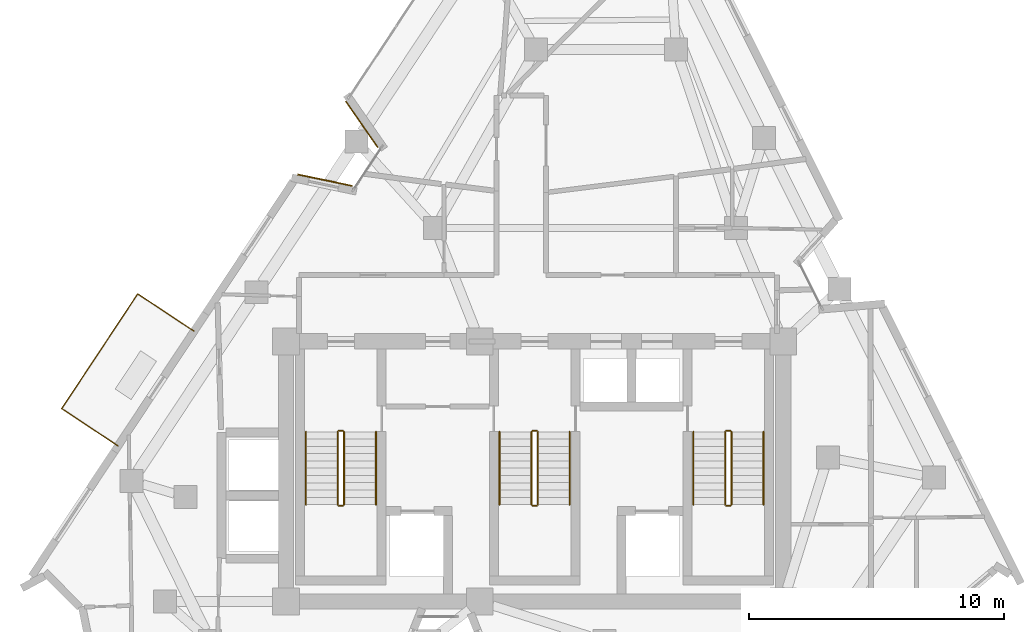
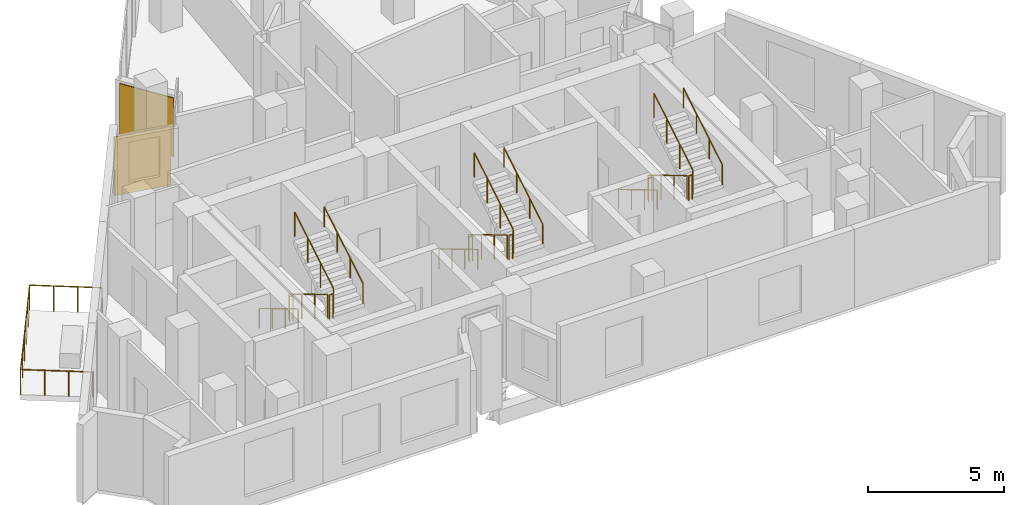
# One storey, part 9 of 10: 19 railings, 2 coverings.
"""IFC4 building model written with IfcOpenShell, lengths in metres."""

from ifc_helpers import new_model, si_unit, direction, frame, origin, origin_2d, place, context, subcontext, project, spatial, rectangle, circle, extrude, material, layer, layer_set, type_object, element, save


model = new_model("IFC4")

# Units and contexts
model_context = context("Model", 3, precision=1e-05, world=origin(), true_north=direction((0.0, 1.0)))
body_context = subcontext(model_context, "Body", "Model", "MODEL_VIEW")
ifc_project = project(units=[si_unit("LENGTHUNIT", "METRE"), si_unit("AREAUNIT", "SQUARE_METRE"), si_unit("VOLUMEUNIT", "CUBIC_METRE"), si_unit("PLANEANGLEUNIT", "RADIAN"), si_unit("MASSUNIT", "GRAM", prefix="KILO")], contexts=[model_context])

# Site, building, storey
site_placement = place(None, origin())
site = spatial("IfcSite", under=ifc_project, at=site_placement, CompositionType="ELEMENT")
building_placement = place(site_placement, origin())
building = spatial("IfcBuilding", under=site, at=building_placement, Name="Almagre Mirador Tower", CompositionType="ELEMENT")
storey_placement = place(building_placement, frame((0.0, 0.0, 255.75)))
storey = spatial("IfcBuildingStorey", under=building, at=storey_placement, Name="L66", CompositionType="ELEMENT", Elevation=255.75)

# Coverings
ifc_material_1 = material(Name="Almagre terracotta architectural cladding", Category="masonry")
ifc_layer = layer(ifc_material_1, 0.044921875)
ifc_layer_set = layer_set([ifc_layer], Name="Almagre terracotta architectural cladding")
covering_type = type_object("IfcCoveringType", Name="COV-CLAD-ALMAGRE", PredefinedType="CLADDING", material=ifc_layer_set)
covering_1_placement = place(storey_placement, frame((29.075439453125, 21.07373046875, 0.10009765625), z_axis=(0.0, 0.0, 1.0), x_axis=(0.978774490615, -0.204940226702, 0.0)))
element("IfcCovering", 1, at=covering_1_placement, inside=storey, type_object=covering_type, Name="L66 almagre terracotta pier cladding", PredefinedType="CLADDING", context=body_context, shape_type="SweptSolid", body=[
    extrude(rectangle(XDim=2.193115234375, YDim=0.044921875, at=origin_2d()), origin(), (0.0, 0.0, 1.0), 2.625),
])
covering_2_placement = place(storey_placement, frame((30.5244140625, 23.2626953125, 0.10009765625), z_axis=(0.0, 0.0, 1.0), x_axis=(-0.570555907837, 0.821258763139, 0.0)))
element("IfcCovering", 2, at=covering_2_placement, inside=storey, type_object=covering_type, Name="L66 almagre terracotta pier cladding", PredefinedType="CLADDING", context=body_context, shape_type="SweptSolid", body=[
    extrude(rectangle(XDim=2.194091796875, YDim=0.044921875, at=origin_2d()), origin(), (0.0, 0.0, 1.0), 2.625),
])

# Railings
ifc_material_2 = material(Name="Black anodized aluminium", Category="aluminium")
railing_type_1 = type_object("IfcRailingType", Name="RLG-BAL-1150", PredefinedType="BALUSTRADE", material=ifc_material_2)
railing_1_placement = place(storey_placement, frame((23.94091796875, 15.15087890625, 0.0)))
element("IfcRailing", 3, at=railing_1_placement, inside=storey, type_object=railing_type_1, Name="L66 west balcony balustrade 1", PredefinedType="BALUSTRADE", context=body_context, shape_type="SweptSolid", body=[
    extrude(circle(Radius=0.02392578125, at=origin_2d()), frame((0.0, 0.0, 1.1259765625), z_axis=(-0.83381747793, 0.552040228152, 0.0), x_axis=(-0.552040228152, -0.83381747793, 0.0)), (0.0, 0.0, 1.0), 2.650390625),
    extrude(circle(Radius=0.02392578125, at=origin_2d()), frame((-2.2099609375, 1.463134765625, 1.1259765625), z_axis=(-0.552088847643, -0.833785286694, 0.0), x_axis=(0.833785286694, -0.552088847643, 0.0)), (0.0, 0.0, 1.0), 5.3994140625),
    extrude(circle(Radius=0.02392578125, at=origin_2d()), frame((-5.19091796875, -3.038818359375, 1.1259765625), z_axis=(0.833705139575, -0.552209869747, 0.0), x_axis=(0.552209869747, 0.833705139575, 0.0)), (0.0, 0.0, 1.0), 2.649658203125),
    extrude(circle(Radius=0.02099609375, at=origin_2d()), origin(), (0.0, 0.0, 1.0), 1.101806640625),
    extrude(circle(Radius=0.02099609375, at=origin_2d()), frame((-0.736572265625, 0.48779296875, 0.0)), (0.0, 0.0, 1.0), 1.101806640625),
    extrude(circle(Radius=0.02099609375, at=origin_2d()), frame((-1.473388671875, 0.975341796875, 0.0)), (0.0, 0.0, 1.0), 1.101806640625),
    extrude(circle(Radius=0.02099609375, at=origin_2d()), frame((-2.2099609375, 1.463134765625, 0.0)), (0.0, 0.0, 1.0), 1.101806640625),
    extrude(circle(Radius=0.02099609375, at=origin_2d()), frame((-2.80615234375, 0.562744140625, 0.0)), (0.0, 0.0, 1.0), 1.101806640625),
    extrude(circle(Radius=0.02099609375, at=origin_2d()), frame((-3.40234375, -0.337646484375, 0.0)), (0.0, 0.0, 1.0), 1.101806640625),
    extrude(circle(Radius=0.02099609375, at=origin_2d()), frame((-3.99853515625, -1.238037109375, 0.0)), (0.0, 0.0, 1.0), 1.101806640625),
    extrude(circle(Radius=0.02099609375, at=origin_2d()), frame((-4.5947265625, -2.138427734375, 0.0)), (0.0, 0.0, 1.0), 1.101806640625),
    extrude(circle(Radius=0.02099609375, at=origin_2d()), frame((-5.19091796875, -3.038818359375, 0.0)), (0.0, 0.0, 1.0), 1.101806640625),
    extrude(circle(Radius=0.02099609375, at=origin_2d()), frame((-4.45458984375, -3.526611328125, 0.0)), (0.0, 0.0, 1.0), 1.101806640625),
    extrude(circle(Radius=0.02099609375, at=origin_2d()), frame((-3.71826171875, -4.01416015625, 0.0)), (0.0, 0.0, 1.0), 1.101806640625),
    extrude(circle(Radius=0.02099609375, at=origin_2d()), frame((-2.98193359375, -4.501953125, 0.0)), (0.0, 0.0, 1.0), 1.101806640625),
])
ifc_material_3 = material(Name="Painted galvanized steel", Category="steel")
railing_type_2 = type_object("IfcRailingType", Name="RLG-GRD-1100", PredefinedType="GUARDRAIL", material=ifc_material_3)
railing_2_placement = place(storey_placement, frame((29.574951171875, 11.199951171875, 0.17041015625)))
element("IfcRailing", 4, at=railing_2_placement, inside=storey, type_object=railing_type_2, Name="L66 ST-1 stair guard 1", PredefinedType="GUARDRAIL", context=body_context, shape_type="SweptSolid", body=[
    extrude(circle(Radius=0.02392578125, at=origin_2d()), frame((0.0, 0.0, 1.09619140625), z_axis=(0.0, -0.858199205511, 0.513316786848), x_axis=(1.0, 0.0, 0.0)), (0.0, 0.0, 1.0), 3.32080078125),
    extrude(circle(Radius=0.02099609375, at=origin_2d()), origin(), (0.0, 0.0, 1.0), 1.072021484375),
    extrude(circle(Radius=0.02099609375, at=origin_2d()), frame((0.0, -0.949951171875, 0.568115234375)), (0.0, 0.0, 1.0), 1.072021484375),
    extrude(circle(Radius=0.02099609375, at=origin_2d()), frame((0.0, -1.89990234375, 1.136474609375)), (0.0, 0.0, 1.0), 1.072021484375),
    extrude(circle(Radius=0.02099609375, at=origin_2d()), frame((0.0, -2.849853515625, 1.70458984375)), (0.0, 0.0, 1.0), 1.072021484375),
])
railing_3_placement = place(storey_placement, frame((29.625, 8.300048828125, 1.875)))
element("IfcRailing", 5, at=railing_3_placement, inside=storey, type_object=railing_type_2, Name="L66 ST-1 stair guard 2", PredefinedType="GUARDRAIL", context=body_context, shape_type="SweptSolid", body=[
    extrude(circle(Radius=0.02392578125, at=origin_2d()), frame((0.0, 0.0, 1.09619140625), z_axis=(1.0, 0.0, 0.0), x_axis=(0.0, 1.0, 0.0)), (0.0, 0.0, 1.0), 0.14990234375),
    extrude(circle(Radius=0.02099609375, at=origin_2d()), origin(), (0.0, 0.0, 1.0), 1.072021484375),
    extrude(circle(Radius=0.02099609375, at=origin_2d()), frame((0.14990234375, 0.0, 0.0)), (0.0, 0.0, 1.0), 1.072021484375),
])
railing_4_placement = place(storey_placement, frame((29.824951171875, 8.35009765625, 2.04541015625)))
element("IfcRailing", 6, at=railing_4_placement, inside=storey, type_object=railing_type_2, Name="L66 ST-1 stair guard 3", PredefinedType="GUARDRAIL", context=body_context, shape_type="SweptSolid", body=[
    extrude(circle(Radius=0.02392578125, at=origin_2d()), frame((0.0, 0.0, 1.09619140625), z_axis=(0.0, 0.858199205511, 0.513316786848), x_axis=(-1.0, 0.0, 0.0)), (0.0, 0.0, 1.0), 3.32080078125),
    extrude(circle(Radius=0.02099609375, at=origin_2d()), origin(), (0.0, 0.0, 1.0), 1.072021484375),
    extrude(circle(Radius=0.02099609375, at=origin_2d()), frame((0.0, 0.949951171875, 0.568115234375)), (0.0, 0.0, 1.0), 1.072021484375),
    extrude(circle(Radius=0.02099609375, at=origin_2d()), frame((0.0, 1.89990234375, 1.136474609375)), (0.0, 0.0, 1.0), 1.072021484375),
    extrude(circle(Radius=0.02099609375, at=origin_2d()), frame((0.0, 2.849853515625, 1.70458984375)), (0.0, 0.0, 1.0), 1.072021484375),
])
railing_5_placement = place(storey_placement, frame((29.625, 11.25, 0.0)))
element("IfcRailing", 7, at=railing_5_placement, inside=storey, type_object=railing_type_2, Name="L66 ST-1 stair guard 4", PredefinedType="GUARDRAIL", context=body_context, shape_type="SweptSolid", body=[
    extrude(circle(Radius=0.02392578125, at=origin_2d()), frame((0.0, 0.0, 1.09619140625), z_axis=(1.0, 0.0, 0.0), x_axis=(0.0, 1.0, 0.0)), (0.0, 0.0, 1.0), 0.14990234375),
    extrude(circle(Radius=0.02099609375, at=origin_2d()), origin(), (0.0, 0.0, 1.0), 1.072021484375),
    extrude(circle(Radius=0.02099609375, at=origin_2d()), frame((0.14990234375, 0.0, 0.0)), (0.0, 0.0, 1.0), 1.072021484375),
])
railing_6_placement = place(storey_placement, frame((37.175048828125, 11.199951171875, 0.17041015625)))
element("IfcRailing", 8, at=railing_6_placement, inside=storey, type_object=railing_type_2, Name="L66 ST-2 stair guard 1", PredefinedType="GUARDRAIL", context=body_context, shape_type="SweptSolid", body=[
    extrude(circle(Radius=0.02392578125, at=origin_2d()), frame((0.0, 0.0, 1.09619140625), z_axis=(0.0, -0.858199205511, 0.513316786848), x_axis=(1.0, 0.0, 0.0)), (0.0, 0.0, 1.0), 3.32080078125),
    extrude(circle(Radius=0.02099609375, at=origin_2d()), origin(), (0.0, 0.0, 1.0), 1.072021484375),
    extrude(circle(Radius=0.02099609375, at=origin_2d()), frame((0.0, -0.949951171875, 0.568115234375)), (0.0, 0.0, 1.0), 1.072021484375),
    extrude(circle(Radius=0.02099609375, at=origin_2d()), frame((0.0, -1.89990234375, 1.136474609375)), (0.0, 0.0, 1.0), 1.072021484375),
    extrude(circle(Radius=0.02099609375, at=origin_2d()), frame((0.0, -2.849853515625, 1.70458984375)), (0.0, 0.0, 1.0), 1.072021484375),
])
railing_7_placement = place(storey_placement, frame((37.22509765625, 8.300048828125, 1.875)))
element("IfcRailing", 9, at=railing_7_placement, inside=storey, type_object=railing_type_2, Name="L66 ST-2 stair guard 2", PredefinedType="GUARDRAIL", context=body_context, shape_type="SweptSolid", body=[
    extrude(circle(Radius=0.02392578125, at=origin_2d()), frame((0.0, 0.0, 1.09619140625), z_axis=(1.0, 0.0, 0.0), x_axis=(0.0, 1.0, 0.0)), (0.0, 0.0, 1.0), 0.14990234375),
    extrude(circle(Radius=0.02099609375, at=origin_2d()), origin(), (0.0, 0.0, 1.0), 1.072021484375),
    extrude(circle(Radius=0.02099609375, at=origin_2d()), frame((0.14990234375, 0.0, 0.0)), (0.0, 0.0, 1.0), 1.072021484375),
])
railing_8_placement = place(storey_placement, frame((37.425048828125, 8.35009765625, 2.04541015625)))
element("IfcRailing", 10, at=railing_8_placement, inside=storey, type_object=railing_type_2, Name="L66 ST-2 stair guard 3", PredefinedType="GUARDRAIL", context=body_context, shape_type="SweptSolid", body=[
    extrude(circle(Radius=0.02392578125, at=origin_2d()), frame((0.0, 0.0, 1.09619140625), z_axis=(0.0, 0.858199205511, 0.513316786848), x_axis=(-1.0, 0.0, 0.0)), (0.0, 0.0, 1.0), 3.32080078125),
    extrude(circle(Radius=0.02099609375, at=origin_2d()), origin(), (0.0, 0.0, 1.0), 1.072021484375),
    extrude(circle(Radius=0.02099609375, at=origin_2d()), frame((0.0, 0.949951171875, 0.568115234375)), (0.0, 0.0, 1.0), 1.072021484375),
    extrude(circle(Radius=0.02099609375, at=origin_2d()), frame((0.0, 1.89990234375, 1.136474609375)), (0.0, 0.0, 1.0), 1.072021484375),
    extrude(circle(Radius=0.02099609375, at=origin_2d()), frame((0.0, 2.849853515625, 1.70458984375)), (0.0, 0.0, 1.0), 1.072021484375),
])
railing_9_placement = place(storey_placement, frame((37.22509765625, 11.25, 0.0)))
element("IfcRailing", 11, at=railing_9_placement, inside=storey, type_object=railing_type_2, Name="L66 ST-2 stair guard 4", PredefinedType="GUARDRAIL", context=body_context, shape_type="SweptSolid", body=[
    extrude(circle(Radius=0.02392578125, at=origin_2d()), frame((0.0, 0.0, 1.09619140625), z_axis=(1.0, 0.0, 0.0), x_axis=(0.0, 1.0, 0.0)), (0.0, 0.0, 1.0), 0.14990234375),
    extrude(circle(Radius=0.02099609375, at=origin_2d()), origin(), (0.0, 0.0, 1.0), 1.072021484375),
    extrude(circle(Radius=0.02099609375, at=origin_2d()), frame((0.14990234375, 0.0, 0.0)), (0.0, 0.0, 1.0), 1.072021484375),
])
railing_10_placement = place(storey_placement, frame((44.77490234375, 11.199951171875, 0.17041015625)))
element("IfcRailing", 12, at=railing_10_placement, inside=storey, type_object=railing_type_2, Name="L66 ST-3 stair guard 1", PredefinedType="GUARDRAIL", context=body_context, shape_type="SweptSolid", body=[
    extrude(circle(Radius=0.02392578125, at=origin_2d()), frame((0.0, 0.0, 1.09619140625), z_axis=(0.0, -0.858199205511, 0.513316786848), x_axis=(1.0, 0.0, 0.0)), (0.0, 0.0, 1.0), 3.32080078125),
    extrude(circle(Radius=0.02099609375, at=origin_2d()), origin(), (0.0, 0.0, 1.0), 1.072021484375),
    extrude(circle(Radius=0.02099609375, at=origin_2d()), frame((0.0, -0.949951171875, 0.568115234375)), (0.0, 0.0, 1.0), 1.072021484375),
    extrude(circle(Radius=0.02099609375, at=origin_2d()), frame((0.0, -1.89990234375, 1.136474609375)), (0.0, 0.0, 1.0), 1.072021484375),
    extrude(circle(Radius=0.02099609375, at=origin_2d()), frame((0.0, -2.849853515625, 1.70458984375)), (0.0, 0.0, 1.0), 1.072021484375),
])
railing_11_placement = place(storey_placement, frame((44.824951171875, 8.300048828125, 1.875)))
element("IfcRailing", 13, at=railing_11_placement, inside=storey, type_object=railing_type_2, Name="L66 ST-3 stair guard 2", PredefinedType="GUARDRAIL", context=body_context, shape_type="SweptSolid", body=[
    extrude(circle(Radius=0.02392578125, at=origin_2d()), frame((0.0, 0.0, 1.09619140625), z_axis=(1.0, 0.0, 0.0), x_axis=(0.0, 1.0, 0.0)), (0.0, 0.0, 1.0), 0.150146484375),
    extrude(circle(Radius=0.02099609375, at=origin_2d()), origin(), (0.0, 0.0, 1.0), 1.072021484375),
    extrude(circle(Radius=0.02099609375, at=origin_2d()), frame((0.150146484375, 0.0, 0.0)), (0.0, 0.0, 1.0), 1.072021484375),
])
railing_12_placement = place(storey_placement, frame((45.02490234375, 8.35009765625, 2.04541015625)))
element("IfcRailing", 14, at=railing_12_placement, inside=storey, type_object=railing_type_2, Name="L66 ST-3 stair guard 3", PredefinedType="GUARDRAIL", context=body_context, shape_type="SweptSolid", body=[
    extrude(circle(Radius=0.02392578125, at=origin_2d()), frame((0.0, 0.0, 1.09619140625), z_axis=(0.0, 0.858199205511, 0.513316786848), x_axis=(-1.0, 0.0, 0.0)), (0.0, 0.0, 1.0), 3.32080078125),
    extrude(circle(Radius=0.02099609375, at=origin_2d()), origin(), (0.0, 0.0, 1.0), 1.072021484375),
    extrude(circle(Radius=0.02099609375, at=origin_2d()), frame((0.0, 0.949951171875, 0.568115234375)), (0.0, 0.0, 1.0), 1.072021484375),
    extrude(circle(Radius=0.02099609375, at=origin_2d()), frame((0.0, 1.89990234375, 1.136474609375)), (0.0, 0.0, 1.0), 1.072021484375),
    extrude(circle(Radius=0.02099609375, at=origin_2d()), frame((0.0, 2.849853515625, 1.70458984375)), (0.0, 0.0, 1.0), 1.072021484375),
])
railing_13_placement = place(storey_placement, frame((44.824951171875, 11.25, 0.0)))
element("IfcRailing", 15, at=railing_13_placement, inside=storey, type_object=railing_type_2, Name="L66 ST-3 stair guard 4", PredefinedType="GUARDRAIL", context=body_context, shape_type="SweptSolid", body=[
    extrude(circle(Radius=0.02392578125, at=origin_2d()), frame((0.0, 0.0, 1.09619140625), z_axis=(1.0, 0.0, 0.0), x_axis=(0.0, 1.0, 0.0)), (0.0, 0.0, 1.0), 0.150146484375),
    extrude(circle(Radius=0.02099609375, at=origin_2d()), origin(), (0.0, 0.0, 1.0), 1.072021484375),
    extrude(circle(Radius=0.02099609375, at=origin_2d()), frame((0.150146484375, 0.0, 0.0)), (0.0, 0.0, 1.0), 1.072021484375),
])
ifc_material_4 = material(Name="Brushed stainless steel", Category="steel")
railing_type_3 = type_object("IfcRailingType", Name="RLG-HND-915", PredefinedType="HANDRAIL", material=ifc_material_4)
railing_14_placement = place(storey_placement, frame((28.324951171875, 11.199951171875, 0.17041015625)))
element("IfcRailing", 16, at=railing_14_placement, inside=storey, type_object=railing_type_3, Name="L66 ST-1 stair handrail 1", PredefinedType="HANDRAIL", context=body_context, shape_type="SweptSolid", body=[
    extrude(circle(Radius=0.02392578125, at=origin_2d()), frame((0.0, 0.0, 0.89111328125), z_axis=(0.0, -0.858199205511, 0.513316786848), x_axis=(1.0, 0.0, 0.0)), (0.0, 0.0, 1.0), 3.32080078125),
    extrude(circle(Radius=0.02099609375, at=origin_2d()), origin(), (0.0, 0.0, 1.0), 0.866943359375),
    extrude(circle(Radius=0.02099609375, at=origin_2d()), frame((0.0, -0.949951171875, 0.568115234375)), (0.0, 0.0, 1.0), 0.866943359375),
    extrude(circle(Radius=0.02099609375, at=origin_2d()), frame((0.0, -1.89990234375, 1.136474609375)), (0.0, 0.0, 1.0), 0.866943359375),
    extrude(circle(Radius=0.02099609375, at=origin_2d()), frame((0.0, -2.849853515625, 1.70458984375)), (0.0, 0.0, 1.0), 0.866943359375),
])
railing_15_placement = place(storey_placement, frame((31.074951171875, 8.35009765625, 2.04541015625)))
element("IfcRailing", 17, at=railing_15_placement, inside=storey, type_object=railing_type_3, Name="L66 ST-1 stair handrail 2", PredefinedType="HANDRAIL", context=body_context, shape_type="SweptSolid", body=[
    extrude(circle(Radius=0.02392578125, at=origin_2d()), frame((0.0, 0.0, 0.89111328125), z_axis=(0.0, 0.858199205511, 0.513316786848), x_axis=(-1.0, 0.0, 0.0)), (0.0, 0.0, 1.0), 3.32080078125),
    extrude(circle(Radius=0.02099609375, at=origin_2d()), origin(), (0.0, 0.0, 1.0), 0.866943359375),
    extrude(circle(Radius=0.02099609375, at=origin_2d()), frame((0.0, 0.949951171875, 0.568115234375)), (0.0, 0.0, 1.0), 0.866943359375),
    extrude(circle(Radius=0.02099609375, at=origin_2d()), frame((0.0, 1.89990234375, 1.136474609375)), (0.0, 0.0, 1.0), 0.866943359375),
    extrude(circle(Radius=0.02099609375, at=origin_2d()), frame((0.0, 2.849853515625, 1.70458984375)), (0.0, 0.0, 1.0), 0.866943359375),
])
railing_16_placement = place(storey_placement, frame((35.925048828125, 11.199951171875, 0.17041015625)))
element("IfcRailing", 18, at=railing_16_placement, inside=storey, type_object=railing_type_3, Name="L66 ST-2 stair handrail 1", PredefinedType="HANDRAIL", context=body_context, shape_type="SweptSolid", body=[
    extrude(circle(Radius=0.02392578125, at=origin_2d()), frame((0.0, 0.0, 0.89111328125), z_axis=(0.0, -0.858199205511, 0.513316786848), x_axis=(1.0, 0.0, 0.0)), (0.0, 0.0, 1.0), 3.32080078125),
    extrude(circle(Radius=0.02099609375, at=origin_2d()), origin(), (0.0, 0.0, 1.0), 0.866943359375),
    extrude(circle(Radius=0.02099609375, at=origin_2d()), frame((0.0, -0.949951171875, 0.568115234375)), (0.0, 0.0, 1.0), 0.866943359375),
    extrude(circle(Radius=0.02099609375, at=origin_2d()), frame((0.0, -1.89990234375, 1.136474609375)), (0.0, 0.0, 1.0), 0.866943359375),
    extrude(circle(Radius=0.02099609375, at=origin_2d()), frame((0.0, -2.849853515625, 1.70458984375)), (0.0, 0.0, 1.0), 0.866943359375),
])
railing_17_placement = place(storey_placement, frame((38.675048828125, 8.35009765625, 2.04541015625)))
element("IfcRailing", 19, at=railing_17_placement, inside=storey, type_object=railing_type_3, Name="L66 ST-2 stair handrail 2", PredefinedType="HANDRAIL", context=body_context, shape_type="SweptSolid", body=[
    extrude(circle(Radius=0.02392578125, at=origin_2d()), frame((0.0, 0.0, 0.89111328125), z_axis=(0.0, 0.858199205511, 0.513316786848), x_axis=(-1.0, 0.0, 0.0)), (0.0, 0.0, 1.0), 3.32080078125),
    extrude(circle(Radius=0.02099609375, at=origin_2d()), origin(), (0.0, 0.0, 1.0), 0.866943359375),
    extrude(circle(Radius=0.02099609375, at=origin_2d()), frame((0.0, 0.949951171875, 0.568115234375)), (0.0, 0.0, 1.0), 0.866943359375),
    extrude(circle(Radius=0.02099609375, at=origin_2d()), frame((0.0, 1.89990234375, 1.136474609375)), (0.0, 0.0, 1.0), 0.866943359375),
    extrude(circle(Radius=0.02099609375, at=origin_2d()), frame((0.0, 2.849853515625, 1.70458984375)), (0.0, 0.0, 1.0), 0.866943359375),
])
railing_18_placement = place(storey_placement, frame((43.52490234375, 11.199951171875, 0.17041015625)))
element("IfcRailing", 20, at=railing_18_placement, inside=storey, type_object=railing_type_3, Name="L66 ST-3 stair handrail 1", PredefinedType="HANDRAIL", context=body_context, shape_type="SweptSolid", body=[
    extrude(circle(Radius=0.02392578125, at=origin_2d()), frame((0.0, 0.0, 0.89111328125), z_axis=(0.0, -0.858199205511, 0.513316786848), x_axis=(1.0, 0.0, 0.0)), (0.0, 0.0, 1.0), 3.32080078125),
    extrude(circle(Radius=0.02099609375, at=origin_2d()), origin(), (0.0, 0.0, 1.0), 0.866943359375),
    extrude(circle(Radius=0.02099609375, at=origin_2d()), frame((0.0, -0.949951171875, 0.568115234375)), (0.0, 0.0, 1.0), 0.866943359375),
    extrude(circle(Radius=0.02099609375, at=origin_2d()), frame((0.0, -1.89990234375, 1.136474609375)), (0.0, 0.0, 1.0), 0.866943359375),
    extrude(circle(Radius=0.02099609375, at=origin_2d()), frame((0.0, -2.849853515625, 1.70458984375)), (0.0, 0.0, 1.0), 0.866943359375),
])
railing_19_placement = place(storey_placement, frame((46.27490234375, 8.35009765625, 2.04541015625)))
element("IfcRailing", 21, at=railing_19_placement, inside=storey, type_object=railing_type_3, Name="L66 ST-3 stair handrail 2", PredefinedType="HANDRAIL", context=body_context, shape_type="SweptSolid", body=[
    extrude(circle(Radius=0.02392578125, at=origin_2d()), frame((0.0, 0.0, 0.89111328125), z_axis=(0.0, 0.858199205511, 0.513316786848), x_axis=(-1.0, 0.0, 0.0)), (0.0, 0.0, 1.0), 3.32080078125),
    extrude(circle(Radius=0.02099609375, at=origin_2d()), origin(), (0.0, 0.0, 1.0), 0.866943359375),
    extrude(circle(Radius=0.02099609375, at=origin_2d()), frame((0.0, 0.949951171875, 0.568115234375)), (0.0, 0.0, 1.0), 0.866943359375),
    extrude(circle(Radius=0.02099609375, at=origin_2d()), frame((0.0, 1.89990234375, 1.136474609375)), (0.0, 0.0, 1.0), 0.866943359375),
    extrude(circle(Radius=0.02099609375, at=origin_2d()), frame((0.0, 2.849853515625, 1.70458984375)), (0.0, 0.0, 1.0), 0.866943359375),
])

save(model, "model.ifc")
